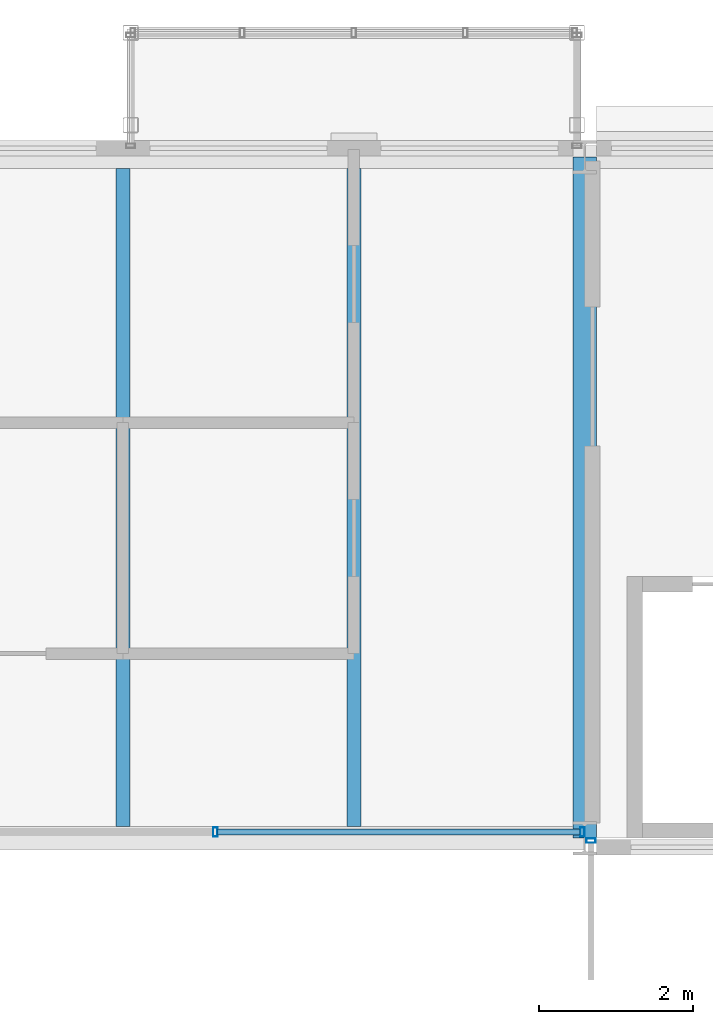
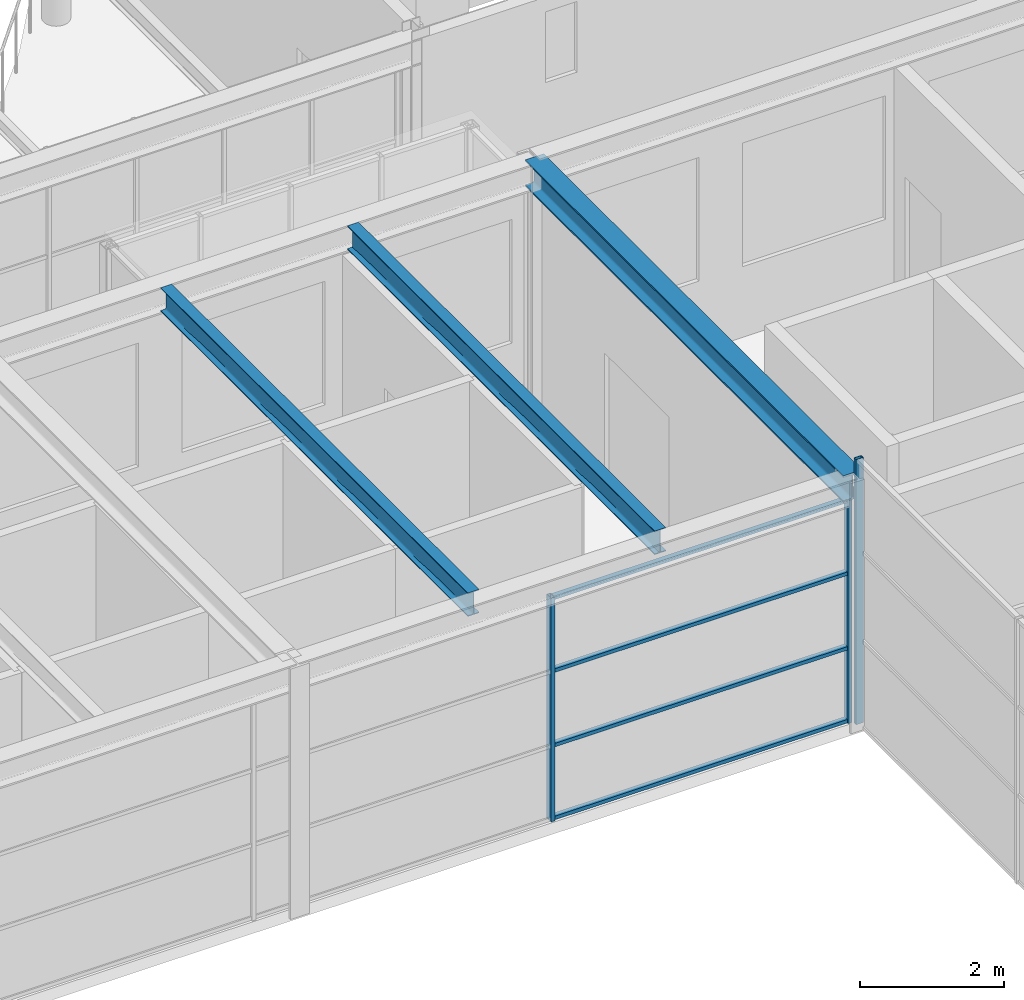
# One storey, part 30 of 70: 7 members, 3 beams, 2 elements without a shape of their own.
"""IFC4 building model written with IfcOpenShell, lengths in metres."""

from ifc_helpers import new_model, si_unit, direction, frame, origin, origin_2d, place, context, subcontext, project, spatial, hollow_rectangle, i_section, extrude, material, material_profile, profile_set, type_object, element, aggregate, save


model = new_model("IFC4")

# Units and contexts
model_context = context("Model", 3, precision=1e-05, world=origin(), true_north=direction((0.0, 1.0)))
body_context = subcontext(model_context, "Body", "Model", "MODEL_VIEW")
ifc_project = project(units=[si_unit("LENGTHUNIT", "METRE"), si_unit("AREAUNIT", "SQUARE_METRE"), si_unit("VOLUMEUNIT", "CUBIC_METRE"), si_unit("PLANEANGLEUNIT", "RADIAN"), si_unit("MASSUNIT", "GRAM", prefix="KILO")], contexts=[model_context])

# Site, building, storey
site_placement = place(None, origin())
site = spatial("IfcSite", under=ifc_project, at=site_placement, CompositionType="ELEMENT")
building_placement = place(site_placement, origin())
building = spatial("IfcBuilding", under=site, at=building_placement, Name="Kallimachos Central Library", CompositionType="ELEMENT")
storey_placement = place(building_placement, frame((0.0, 0.0, 18.89990234375)))
storey = spatial("IfcBuildingStorey", under=building, at=storey_placement, Name="L04", CompositionType="ELEMENT", Elevation=18.89990234375)

# Curtain wall, members
ifc_material_1 = material(Name="Aluminium and laminated glass", Category="aluminium")
curtain_wall_type = type_object("IfcCurtainWallType", Name="Atrium glazed screen", PredefinedType="NOTDEFINED", material=ifc_material_1)
curtain_wall_1_placement = place(storey_placement, origin())
curtain_wall_1 = element("IfcCurtainWall", 1, at=curtain_wall_1_placement, inside=storey, type_object=curtain_wall_type, Name="L04 atrium screen N", PredefinedType="NOTDEFINED")
ifc_material_2 = material(Name="Anodised aluminium", Category="aluminium")
ifc_material_profile_1 = material_profile(ifc_material_2, hollow_rectangle(XDim=0.06005859375, YDim=0.1201171875, WallThickness=0.00390625, at=origin_2d()), Name="ALU MULLION 60x120")
ifc_profile_set_1 = profile_set([ifc_material_profile_1], Name="Anodised aluminium")
member_type_1 = type_object("IfcMemberType", Name="Atrium screen mullion", PredefinedType="MULLION", material=ifc_profile_set_1)
member_1_placement = place(storey_placement, frame((96.699951171875, 75.080078125, 0.0), z_axis=(0.0, 0.0, 1.0), x_axis=(1.0, 0.0, 0.0)))
member_1 = element("IfcMember", 2, at=member_1_placement, type_object=member_type_1, Name="CW mullion 5", PredefinedType="MULLION", context=body_context, shape_type="SweptSolid", body=[
    extrude(hollow_rectangle(XDim=0.06005859375, YDim=0.1201171875, WallThickness=0.00390625, at=origin_2d()), origin(), (0.0, 0.0, 1.0), 3.800048828125),
])
member_2_placement = place(storey_placement, frame((101.469970703125, 75.080078125, 0.0), z_axis=(0.0, 0.0, 1.0), x_axis=(1.0, 0.0, 0.0)))
member_2 = element("IfcMember", 3, at=member_2_placement, type_object=member_type_1, Name="CW mullion 6", PredefinedType="MULLION", context=body_context, shape_type="SweptSolid", body=[
    extrude(hollow_rectangle(XDim=0.06005859375, YDim=0.1201171875, WallThickness=0.00390625, at=origin_2d()), origin(), (0.0, 0.0, 1.0), 3.800048828125),
])

# Curtain wall, member
curtain_wall_2_placement = place(storey_placement, origin())
curtain_wall_2 = element("IfcCurtainWall", 4, at=curtain_wall_2_placement, inside=storey, type_object=curtain_wall_type, Name="L04 atrium screen E", PredefinedType="NOTDEFINED")
member_3_placement = place(storey_placement, frame((101.580078125, 74.969970703125, 0.0), z_axis=(0.0, 0.0, 1.0), x_axis=(0.0, 1.0, 0.0)))
member_3 = element("IfcMember", 5, at=member_3_placement, type_object=member_type_1, Name="CW mullion 5", PredefinedType="MULLION", context=body_context, shape_type="SweptSolid", body=[
    extrude(hollow_rectangle(XDim=0.06005859375, YDim=0.1201171875, WallThickness=0.00390625, at=origin_2d()), origin(), (0.0, 0.0, 1.0), 4.5),
])
aggregate(curtain_wall_2, [member_3])

# Member
ifc_material_3 = material(Name="Anodised aluminium", Category="aluminium")
ifc_material_profile_2 = material_profile(ifc_material_3, hollow_rectangle(XDim=0.06005859375, YDim=0.080078125, WallThickness=0.00390625, at=origin_2d()), Name="ALU TRANSOM 60x80")
ifc_profile_set_2 = profile_set([ifc_material_profile_2], Name="Anodised aluminium")
member_type_2 = type_object("IfcMemberType", Name="Atrium screen transom", PredefinedType="USERDEFINED", material=ifc_profile_set_2)
member_4_placement = place(storey_placement, frame((96.72998046875, 75.080078125, 0.030029296875), z_axis=(1.0, 0.0, 0.0), x_axis=(0.0, 0.0, 1.0)))
member_4 = element("IfcMember", 6, at=member_4_placement, type_object=member_type_2, Name="CW transom 5.1", ObjectType="TRANSOM", PredefinedType="USERDEFINED", context=body_context, shape_type="SweptSolid", body=[
    extrude(hollow_rectangle(XDim=0.06005859375, YDim=0.080078125, WallThickness=0.00390625, at=origin_2d()), origin(), (0.0, 0.0, 1.0), 4.7099609375),
])

member_5_placement = place(storey_placement, frame((96.72998046875, 75.080078125, 1.266845703125), z_axis=(1.0, 0.0, 0.0), x_axis=(0.0, 0.0, 1.0)))
member_5 = element("IfcMember", 7, at=member_5_placement, type_object=member_type_2, Name="CW transom 5.2", ObjectType="TRANSOM", PredefinedType="USERDEFINED", context=body_context, shape_type="SweptSolid", body=[
    extrude(hollow_rectangle(XDim=0.06005859375, YDim=0.080078125, WallThickness=0.00390625, at=origin_2d()), origin(), (0.0, 0.0, 1.0), 4.7099609375),
])

member_6_placement = place(storey_placement, frame((96.72998046875, 75.080078125, 2.533447265625), z_axis=(1.0, 0.0, 0.0), x_axis=(0.0, 0.0, 1.0)))
member_6 = element("IfcMember", 8, at=member_6_placement, type_object=member_type_2, Name="CW transom 5.3", ObjectType="TRANSOM", PredefinedType="USERDEFINED", context=body_context, shape_type="SweptSolid", body=[
    extrude(hollow_rectangle(XDim=0.06005859375, YDim=0.080078125, WallThickness=0.00390625, at=origin_2d()), origin(), (0.0, 0.0, 1.0), 4.7099609375),
])

member_7_placement = place(storey_placement, frame((96.72998046875, 75.080078125, 3.77001953125), z_axis=(1.0, 0.0, 0.0), x_axis=(0.0, 0.0, 1.0)))
member_7 = element("IfcMember", 9, at=member_7_placement, type_object=member_type_2, Name="CW transom 5.4", ObjectType="TRANSOM", PredefinedType="USERDEFINED", context=body_context, shape_type="SweptSolid", body=[
    extrude(hollow_rectangle(XDim=0.06005859375, YDim=0.080078125, WallThickness=0.00390625, at=origin_2d()), origin(), (0.0, 0.0, 1.0), 4.7099609375),
])

aggregate(curtain_wall_1, [member_1, member_2, member_4, member_5, member_6, member_7])

# Beams
ifc_material_4 = material(Name="Steel S355J2", Category="steel")
ifc_material_profile_3 = material_profile(ifc_material_4, i_section(OverallWidth=0.300048828125, OverallDepth=0.449951171875, WebThickness=0.013916015625, FlangeThickness=0.02587890625, FilletRadius=0.027099609375, at=origin_2d()), Name="HEB 450")
ifc_profile_set_3 = profile_set([ifc_material_profile_3], Name="Steel S355J2")
beam_type_1 = type_object("IfcBeamType", Name="HEB 450 beam", PredefinedType="BEAM", material=ifc_profile_set_3)
beam_placement = place(storey_placement, frame((101.5, 75.0, 4.025146484375), z_axis=(0.0, 1.0, 0.0), x_axis=(-1.0, 0.0, 0.0)))
element("IfcBeam", 10, at=beam_placement, inside=storey, type_object=beam_type_1, Name="V4-BEM-L04-013", PredefinedType="BEAM", context=body_context, shape_type="SweptSolid", body=[
    extrude(i_section(OverallWidth=0.300048828125, OverallDepth=0.449951171875, WebThickness=0.013916015625, FlangeThickness=0.02587890625, FilletRadius=0.027099609375, at=origin_2d()), origin(), (0.0, 0.0, 1.0), 8.85009765625),
])
ifc_material_5 = material(Name="Steel S355J2", Category="steel")
ifc_material_profile_4 = material_profile(ifc_material_5, i_section(OverallWidth=0.179931640625, OverallDepth=0.39990234375, WebThickness=0.008544921875, FlangeThickness=0.013427734375, FilletRadius=0.02099609375, at=origin_2d()), Name="IPE 400")
ifc_profile_set_4 = profile_set([ifc_material_profile_4], Name="Steel S355J2")
beam_type_2 = type_object("IfcBeamType", Name="IPE 400 beam", PredefinedType="BEAM", material=ifc_profile_set_4)
for number, where, z_axis, x_axis, name in (
    (11, (95.5, 75.14990234375, 4.050048828125), (0.0, 1.0, 0.0), (-1.0, 0.0, 0.0), "V4-BEM-L04-019"),
    (12, (98.5, 75.14990234375, 4.050048828125), (0.0, 1.0, 0.0), (-1.0, 0.0, 0.0), "V4-BEM-L04-020"),
):
    element("IfcBeam", number, at=place(storey_placement, frame(where, z_axis=z_axis, x_axis=x_axis)), inside=storey, type_object=beam_type_2, Name=name, PredefinedType="BEAM", context=body_context, shape_type="SweptSolid", body=[
        extrude(i_section(OverallWidth=0.179931640625, OverallDepth=0.39990234375, WebThickness=0.008544921875, FlangeThickness=0.013427734375, FilletRadius=0.02099609375, at=origin_2d()), origin(), (0.0, 0.0, 1.0), 8.550048828125),
    ])

save(model, "model.ifc")
